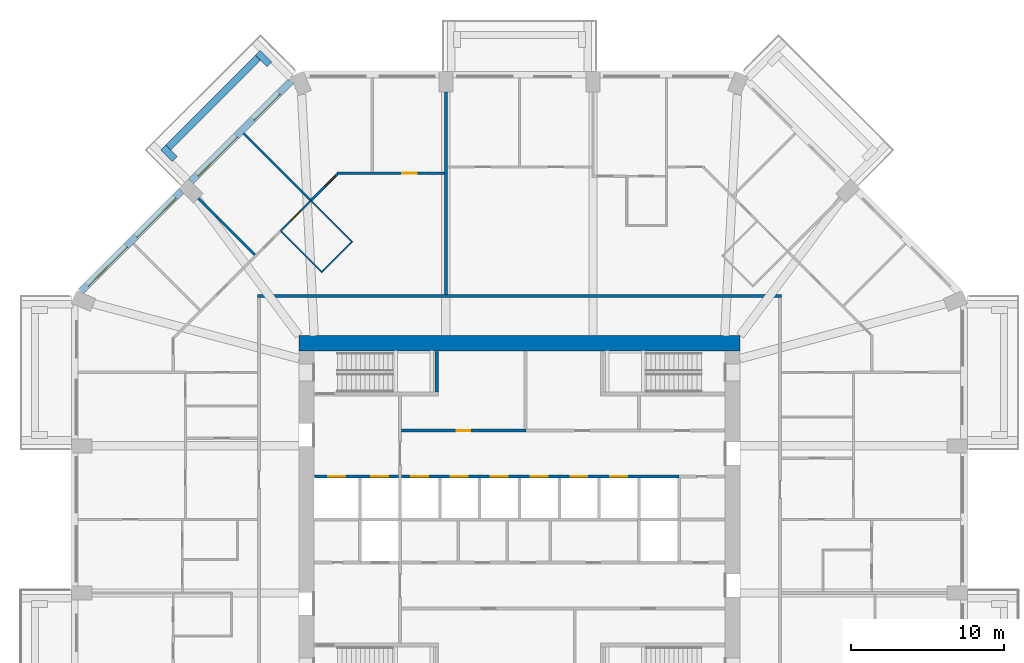
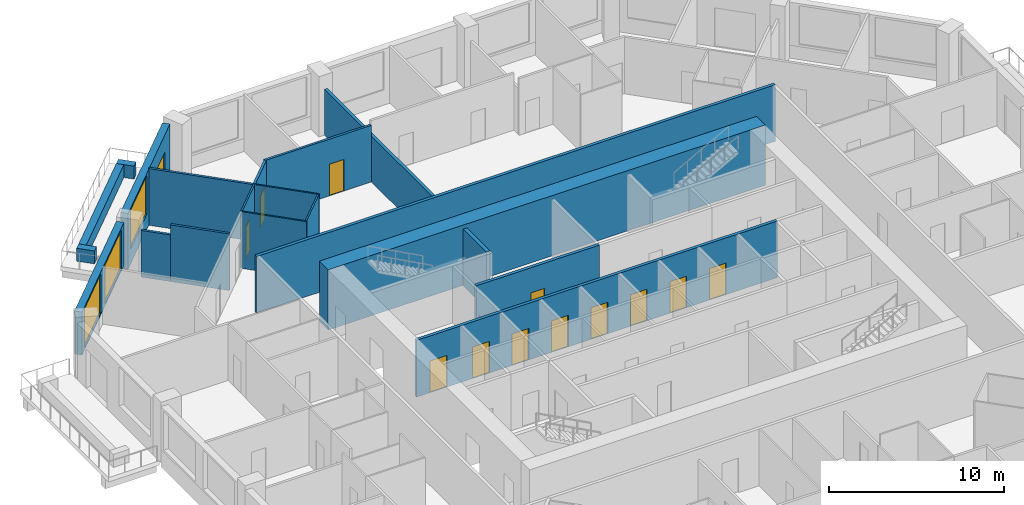
# One storey, part 8 of 13: 20 walls, 13 doors, 3 windows, 16 openings.
"""IFC4 building model written with IfcOpenShell, lengths in metres."""

from ifc_helpers import new_model, si_unit, direction, frame, frame_2d, origin, place, context, subcontext, project, spatial, rectangle, extrude, material, layer, layer_set, type_object, element, fill, save


model = new_model("IFC4")

# Units and contexts
model_context = context("Model", 3, precision=1e-05, world=origin(), true_north=direction((0.0, 1.0)))
body_context = subcontext(model_context, "Body", "Model", "MODEL_VIEW")
ifc_project = project(units=[si_unit("LENGTHUNIT", "METRE"), si_unit("AREAUNIT", "SQUARE_METRE"), si_unit("VOLUMEUNIT", "CUBIC_METRE"), si_unit("PLANEANGLEUNIT", "RADIAN"), si_unit("MASSUNIT", "GRAM", prefix="KILO")], contexts=[model_context])

# Site, building, storey
site_placement = place(None, origin())
site = spatial("IfcSite", under=ifc_project, at=site_placement, CompositionType="ELEMENT")
building_placement = place(site_placement, origin())
building = spatial("IfcBuilding", under=site, at=building_placement, Name="Msitu Wima Residences", CompositionType="ELEMENT")
storey_placement = place(building_placement, frame((0.0, 0.0, 67.5)))
storey = spatial("IfcBuildingStorey", under=building, at=storey_placement, Name="L15", CompositionType="ELEMENT", Elevation=67.5)

# Walls
ifc_material_1 = material(Name="Facing brick")
ifc_layer_1 = layer(ifc_material_1, 0.06494140625, Name="Facing brick")
ifc_material_2 = material(Name="Concrete C40/50", Category="concrete")
ifc_layer_2 = layer(ifc_material_2, 0.156005859375, Name="Concrete C40/50")
ifc_material_3 = material(Name="Waterproofing membrane")
ifc_layer_3 = layer(ifc_material_3, 0.00390625, Name="Waterproofing membrane")
ifc_material_4 = material(Name="Planting soil and planting")
ifc_layer_4 = layer(ifc_material_4, 0.22509765625, Name="Planting soil and planting")
ifc_layer_set_1 = layer_set([ifc_layer_1, ifc_layer_2, ifc_layer_3, ifc_layer_4], Name="Concrete C40/50")
wall_type_1 = type_object("IfcWallType", Name="Balcony planter PLANTER PL450", PredefinedType="USERDEFINED", material=ifc_layer_set_1)
wall_1_placement = place(storey_placement, frame((-17.0693359375, 30.125732421875, 0.0), z_axis=(0.0, 0.0, 1.0), x_axis=(-0.707106781187, -0.707106781187, 0.0)))
element("IfcWall", 1, at=wall_1_placement, inside=storey, type_object=wall_type_1, Name="Balcony planter NW0 L15", ObjectType="PLANTER", PredefinedType="USERDEFINED", context=body_context, shape_type="SweptSolid", body=[
    extrude(rectangle(XDim=8.2822265625, YDim=0.449951171875, at=frame_2d((4.14111328125, 0.0))), origin(), (0.0, 0.0, 1.0), 0.89990234375),
])
for number, where, z_axis, x_axis, name in (
    (2, (-16.326904296875, 29.70166015625, 0.0), (0.0, 0.0, 1.0), (-0.707106781187, 0.707106781187, 0.0), "Balcony planter NW0 L15"),
    (3, (-22.50146484375, 23.52685546875, 0.0), (0.0, 0.0, 1.0), (-0.707223014731, 0.706990528533, 0.0), "Balcony planter NW0 L15"),
):
    element("IfcWall", number, at=place(storey_placement, frame(where, z_axis=z_axis, x_axis=x_axis)), inside=storey, type_object=wall_type_1, Name=name, ObjectType="PLANTER", PredefinedType="USERDEFINED", context=body_context, shape_type="SweptSolid", body=[
        extrude(rectangle(XDim=1.050048828125, YDim=0.449951171875, at=frame_2d((0.52490234375, 0.0))), origin(), (0.0, 0.0, 1.0), 0.89990234375),
    ])

# Wall, openings, door, window
ifc_material_5 = material(Name="Brick (red buff mix)", Category="masonry")
ifc_layer_5 = layer(ifc_material_5, 0.449951171875)
ifc_layer_set_2 = layer_set([ifc_layer_5], Name="Brick (red buff mix)")
wall_type_2 = type_object("IfcWallType", Name="Brick infill wall BW450", PredefinedType="SOLIDWALL", material=ifc_layer_set_2)
wall_2_placement = place(storey_placement, frame((-14.903564453125, 28.61474609375, 0.0), z_axis=(0.0, 0.0, 1.0), x_axis=(-0.707106781187, -0.707106781187, 0.0)))
wall_2 = element("IfcWall", 4, at=wall_2_placement, inside=storey, type_object=wall_type_2, Name="Brick infill wall L15 NW0", PredefinedType="SOLIDWALL", context=body_context, shape_type="SweptSolid", body=[
    extrude(rectangle(XDim=9.2451171875, YDim=0.449951171875, at=frame_2d((4.62255859375, 0.0))), origin(), (0.0, 0.0, 1.0), 3.89990234375),
])
opening_1_placement = place(wall_2_placement, frame((1.111328125, 0.0, 0.0)))
opening_1 = element("IfcOpeningElement", 5, at=opening_1_placement, cuts=wall_2, Name="Opening D13-15.005", PredefinedType="OPENING", context=body_context, shape_type="SweptSolid", body=[
    extrude(rectangle(XDim=2.39990234375, YDim=2.699951171875, at=frame_2d((1.199951171875, 1.35009765625))), frame((0.0, 0.23486328125, 0.0), z_axis=(0.0, -1.0, 0.0), x_axis=(1.0, 0.0, 0.0)), (0.0, 0.0, 1.0), 0.469970703125),
])
opening_2_placement = place(wall_2_placement, frame((5.072509765625, 0.0, 1.050048828125)))
opening_2 = element("IfcOpeningElement", 6, at=opening_2_placement, cuts=wall_2, Name="Opening W13-15.013", PredefinedType="OPENING", context=body_context, shape_type="SweptSolid", body=[
    extrude(rectangle(XDim=3.60009765625, YDim=2.699951171875, at=frame_2d((1.800048828125, 1.35009765625))), frame((0.0, 0.23486328125, 0.0), z_axis=(0.0, -1.0, 0.0), x_axis=(1.0, 0.0, 0.0)), (0.0, 0.0, 1.0), 0.469970703125),
])
ifc_material_6 = material(Name="Anodised aluminium, bronze finish, clear low-emissivity double glazing", Category="aluminium")
door_type_1 = type_object("IfcDoorType", Name="Balcony door D2400x2700", OperationType="SLIDING_TO_LEFT", PredefinedType="DOOR", material=ifc_material_6)
door_1_placement = place(opening_1_placement, origin())
door_1 = element("IfcDoor", 7, at=door_1_placement, inside=storey, type_object=door_type_1, Name="Balcony door L15 NW0", OperationType="SINGLE_SWING_LEFT", OverallHeight=2.699951171875, OverallWidth=2.39990234375, PredefinedType="DOOR", context=body_context, shape_type="SweptSolid", body=[
    extrude(rectangle(XDim=2.39990234375, YDim=2.699951171875, at=frame_2d((1.199951171875, 1.35009765625))), frame((0.0, 0.1298828125, 0.0), z_axis=(0.0, -1.0, 0.0), x_axis=(1.0, 0.0, 0.0)), (0.0, 0.0, 1.0), 0.050048828125),
])
fill(opening_1, door_1)
window_type = type_object("IfcWindowType", Name="Window W3600x2700", PartitioningType="DOUBLE_PANEL_VERTICAL", PredefinedType="WINDOW", material=ifc_material_6)
window_1_placement = place(opening_2_placement, origin())
window_1 = element("IfcWindow", 8, at=window_1_placement, inside=storey, type_object=window_type, Name="Window L15 NW0.2", OverallHeight=2.699951171875, OverallWidth=3.60009765625, PartitioningType="SINGLE_PANEL", PredefinedType="WINDOW", context=body_context, shape_type="SweptSolid", body=[
    extrude(rectangle(XDim=3.60009765625, YDim=2.699951171875, at=frame_2d((1.800048828125, 1.35009765625))), frame((0.0, 0.135009765625, 0.0), z_axis=(0.0, -1.0, 0.0), x_axis=(1.0, 0.0, 0.0)), (0.0, 0.0, 1.0), 0.06005859375),
])
fill(opening_2, window_1)

# Wall, openings, windows
wall_3_placement = place(storey_placement, frame((-22.077392578125, 21.44091796875, 0.89990234375), z_axis=(0.0, 0.0, 1.0), x_axis=(-0.707106781187, -0.707106781187, 0.0)))
wall_3 = element("IfcWall", 9, at=wall_3_placement, inside=storey, type_object=wall_type_2, Name="Brick infill wall L15 NW1", PredefinedType="SOLIDWALL", context=body_context, shape_type="SweptSolid", body=[
    extrude(rectangle(XDim=9.2451171875, YDim=0.449951171875, at=frame_2d((4.62255859375, 0.0))), origin(), (0.0, 0.0, 1.0), 3.0),
])
opening_3_placement = place(wall_3_placement, frame((0.572509765625, 0.0, 0.14990234375)))
opening_3 = element("IfcOpeningElement", 10, at=opening_3_placement, cuts=wall_3, Name="Opening W13-15.014", PredefinedType="OPENING", context=body_context, shape_type="SweptSolid", body=[
    extrude(rectangle(XDim=3.60009765625, YDim=2.699951171875, at=frame_2d((1.800048828125, 1.35009765625))), frame((0.0, 0.23486328125, 0.0), z_axis=(0.0, -1.0, 0.0), x_axis=(1.0, 0.0, 0.0)), (0.0, 0.0, 1.0), 0.469970703125),
])
opening_4_placement = place(wall_3_placement, frame((5.072509765625, 0.0, 0.14990234375)))
opening_4 = element("IfcOpeningElement", 11, at=opening_4_placement, cuts=wall_3, Name="Opening W13-15.015", PredefinedType="OPENING", context=body_context, shape_type="SweptSolid", body=[
    extrude(rectangle(XDim=3.60009765625, YDim=2.699951171875, at=frame_2d((1.800048828125, 1.35009765625))), frame((0.0, 0.23486328125, 0.0), z_axis=(0.0, -1.0, 0.0), x_axis=(1.0, 0.0, 0.0)), (0.0, 0.0, 1.0), 0.469970703125),
])
window_2_placement = place(opening_3_placement, origin())
window_2 = element("IfcWindow", 12, at=window_2_placement, inside=storey, type_object=window_type, Name="Window L15 NW1.1", OverallHeight=2.699951171875, OverallWidth=3.60009765625, PartitioningType="SINGLE_PANEL", PredefinedType="WINDOW", context=body_context, shape_type="SweptSolid", body=[
    extrude(rectangle(XDim=3.60009765625, YDim=2.699951171875, at=frame_2d((1.800048828125, 1.35009765625))), frame((0.0, 0.135009765625, 0.0), z_axis=(0.0, -1.0, 0.0), x_axis=(1.0, 0.0, 0.0)), (0.0, 0.0, 1.0), 0.06005859375),
])
fill(opening_3, window_2)
window_3_placement = place(opening_4_placement, origin())
window_3 = element("IfcWindow", 13, at=window_3_placement, inside=storey, type_object=window_type, Name="Window L15 NW1.2", OverallHeight=2.699951171875, OverallWidth=3.60009765625, PartitioningType="SINGLE_PANEL", PredefinedType="WINDOW", context=body_context, shape_type="SweptSolid", body=[
    extrude(rectangle(XDim=3.60009765625, YDim=2.699951171875, at=frame_2d((1.800048828125, 1.35009765625))), frame((0.0, 0.135009765625, 0.0), z_axis=(0.0, -1.0, 0.0), x_axis=(1.0, 0.0, 0.0)), (0.0, 0.0, 1.0), 0.06005859375),
])
fill(opening_4, window_3)

# Walls
ifc_material_7 = material(Name="Concrete C80/95", Category="concrete")
ifc_layer_6 = layer(ifc_material_7, 1.0)
ifc_layer_set_3 = layer_set([ifc_layer_6], Name="Concrete C80/95")
wall_type_3 = type_object("IfcWallType", Name="Core wall CW1000 C80/95", PredefinedType="SHEAR", material=ifc_layer_set_3)
wall_4_placement = place(storey_placement, frame((-14.39990234375, 11.5, 0.0), z_axis=(0.0, 0.0, 1.0), x_axis=(1.0, 0.0, 0.0)))
element("IfcWall", 14, at=wall_4_placement, inside=storey, type_object=wall_type_3, Name="Core wall", PredefinedType="SHEAR", context=body_context, shape_type="SweptSolid", body=[
    extrude(rectangle(XDim=28.7998046875, YDim=1.0, at=frame_2d((14.39990234375, 0.0))), origin(), (0.0, 0.0, 1.0), 4.199951171875),
])
ifc_material_8 = material(Name="Plaster")
ifc_layer_7 = layer(ifc_material_8, 0.011962890625, Name="Plaster")
ifc_material_9 = material(Name="Concrete blockwork", Category="masonry")
ifc_layer_8 = layer(ifc_material_9, 0.176025390625, Name="Concrete blockwork")
ifc_layer_9 = layer(ifc_material_8, 0.011962890625, Name="Plaster")
ifc_layer_set_4 = layer_set([ifc_layer_7, ifc_layer_8, ifc_layer_9], Name="Concrete blockwork")
wall_type_4 = type_object("IfcWallType", Name="Corridor wall FW200", PredefinedType="PARTITIONING", material=ifc_layer_set_4)
wall_5_placement = place(storey_placement, frame((-17.10009765625, 14.60009765625, 0.0), z_axis=(0.0, 0.0, 1.0), x_axis=(1.0, 0.0, 0.0)))
element("IfcWall", 15, at=wall_5_placement, inside=storey, type_object=wall_type_4, Name="Corridor wall", PredefinedType="PARTITIONING", context=body_context, shape_type="SweptSolid", body=[
    extrude(rectangle(XDim=34.2001953125, YDim=0.199951171875, at=frame_2d((17.10009765625, 0.0))), origin(), (0.0, 0.0, 1.0), 3.949951171875),
])

# Wall, opening, door
wall_6_placement = place(storey_placement, frame((-7.699951171875, 5.800048828125, 0.0), z_axis=(0.0, 0.0, 1.0), x_axis=(1.0, 0.0, 0.0)))
wall_6 = element("IfcWall", 16, at=wall_6_placement, inside=storey, type_object=wall_type_4, Name="Corridor wall", PredefinedType="PARTITIONING", context=body_context, shape_type="SweptSolid", body=[
    extrude(rectangle(XDim=8.119873046875, YDim=0.199951171875, at=frame_2d((4.06005859375, 0.0))), origin(), (0.0, 0.0, 1.0), 3.949951171875),
])
opening_5_placement = place(wall_6_placement, frame((3.60009765625, 0.0, 0.0)))
opening_5 = element("IfcOpeningElement", 17, at=opening_5_placement, cuts=wall_6, Name="Opening D13-15.019", PredefinedType="OPENING", context=body_context, shape_type="SweptSolid", body=[
    extrude(rectangle(XDim=0.89990234375, YDim=2.199951171875, at=frame_2d((0.449951171875, 1.10009765625))), frame((0.0, 0.10986328125, 0.0), z_axis=(0.0, -1.0, 0.0), x_axis=(1.0, 0.0, 0.0)), (0.0, 0.0, 1.0), 0.219970703125),
])
ifc_material_10 = material(Name="Timber flush door", Category="wood")
door_type_2 = type_object("IfcDoorType", Name="Service door D05 900x2200", OperationType="SINGLE_SWING_LEFT", PredefinedType="DOOR", material=ifc_material_10)
door_2_placement = place(opening_5_placement, origin())
door_2 = element("IfcDoor", 18, at=door_2_placement, inside=storey, type_object=door_type_2, Name="Service door", OperationType="SINGLE_SWING_LEFT", OverallHeight=2.199951171875, OverallWidth=0.89990234375, PredefinedType="DOOR", context=body_context, shape_type="SweptSolid", body=[
    extrude(rectangle(XDim=0.89990234375, YDim=2.199951171875, at=frame_2d((0.449951171875, 1.10009765625))), frame((0.0, 0.02490234375, 0.0), z_axis=(0.0, -1.0, 0.0), x_axis=(1.0, 0.0, 0.0)), (0.0, 0.0, 1.0), 0.050048828125),
])
fill(opening_5, door_2)

# Walls
ifc_layer_10 = layer(ifc_material_8, 0.011962890625, Name="Plaster")
ifc_layer_11 = layer(ifc_material_9, 0.1259765625, Name="Concrete blockwork")
ifc_layer_12 = layer(ifc_material_8, 0.011962890625, Name="Plaster")
ifc_layer_set_5 = layer_set([ifc_layer_10, ifc_layer_11, ifc_layer_12], Name="Concrete blockwork")
wall_type_5 = type_object("IfcWallType", Name="Partition PW150", PredefinedType="PARTITIONING", material=ifc_layer_set_5)
wall_7_placement = place(storey_placement, frame((-20.963623046875, 20.963623046875, 0.0), z_axis=(0.0, 0.0, 1.0), x_axis=(0.707106781187, -0.707106781187, 0.0)))
element("IfcWall", 19, at=wall_7_placement, inside=storey, type_object=wall_type_5, Name="Partition", PredefinedType="PARTITIONING", context=body_context, shape_type="SweptSolid", body=[
    extrude(rectangle(XDim=1.74853515625, YDim=0.14990234375, at=frame_2d((0.874267578125, 0.0))), origin(), (0.0, 0.0, 1.0), 3.25),
])
wall_8_placement = place(storey_placement, frame((-19.727294921875, 19.727294921875, 0.0), z_axis=(0.0, 0.0, 1.0), x_axis=(0.707106781187, -0.707106781187, 0.0)))
element("IfcWall", 20, at=wall_8_placement, inside=storey, type_object=wall_type_5, Name="Partition", PredefinedType="PARTITIONING", context=body_context, shape_type="SweptSolid", body=[
    extrude(rectangle(XDim=3.4765625, YDim=0.14990234375, at=frame_2d((1.73828125, 0.0))), origin(), (0.0, 0.0, 1.0), 3.949951171875),
])
wall_9_placement = place(storey_placement, frame((-18.017578125, 25.2177734375, 0.0), z_axis=(0.0, 0.0, 1.0), x_axis=(0.707087234081, -0.707126327752, 0.0)))
element("IfcWall", 21, at=wall_9_placement, inside=storey, type_object=wall_type_5, Name="Partition", PredefinedType="PARTITIONING", context=body_context, shape_type="SweptSolid", body=[
    extrude(rectangle(XDim=6.2451171875, YDim=0.14990234375, at=frame_2d((3.12255859375, 0.0))), origin(), (0.0, 0.0, 1.0), 3.949951171875),
])

# Wall, opening, door
wall_10_placement = place(storey_placement, frame((-13.601806640625, 20.830078125, 0.0), z_axis=(0.0, 0.0, 1.0), x_axis=(0.707106781187, 0.707106781187, 0.0)))
wall_10 = element("IfcWall", 22, at=wall_10_placement, inside=storey, type_object=wall_type_5, Name="Partition", PredefinedType="PARTITIONING", context=body_context, shape_type="SweptSolid", body=[
    extrude(rectangle(XDim=2.427978515625, YDim=0.14990234375, at=frame_2d((1.2138671875, 0.0))), origin(), (0.0, 0.0, 1.0), 3.949951171875),
])
opening_6_placement = place(wall_10_placement, frame((1.300048828125, 0.0, 0.0)))
opening_6 = element("IfcOpeningElement", 23, at=opening_6_placement, cuts=wall_10, Name="Opening D13-15.063", PredefinedType="OPENING", context=body_context, shape_type="SweptSolid", body=[
    extrude(rectangle(XDim=0.949951171875, YDim=2.199951171875, at=frame_2d((0.47509765625, 1.10009765625))), frame((0.0, 0.0849609375, 0.0), z_axis=(0.0, -1.0, 0.0), x_axis=(1.0, 0.0, 0.0)), (0.0, 0.0, 1.0), 0.169921875),
])
door_type_3 = type_object("IfcDoorType", Name="Room door D12 950x2200", OperationType="SINGLE_SWING_LEFT", PredefinedType="DOOR", material=ifc_material_10)
door_3_placement = place(opening_6_placement, origin())
door_3 = element("IfcDoor", 24, at=door_3_placement, inside=storey, type_object=door_type_3, Name="Room door", OperationType="SINGLE_SWING_LEFT", OverallHeight=2.199951171875, OverallWidth=0.949951171875, PredefinedType="DOOR", context=body_context, shape_type="SweptSolid", body=[
    extrude(rectangle(XDim=0.949951171875, YDim=2.199951171875, at=frame_2d((0.47509765625, 1.10009765625))), frame((0.0, 0.02490234375, 0.0), z_axis=(0.0, -1.0, 0.0), x_axis=(1.0, 0.0, 0.0)), (0.0, 0.0, 1.0), 0.050048828125),
])
fill(opening_6, door_3)

wall_11_placement = place(storey_placement, frame((-11.906982421875, 22.60009765625, 0.0), z_axis=(0.0, 0.0, 1.0), x_axis=(1.0, 0.0, 0.0)))
wall_11 = element("IfcWall", 25, at=wall_11_placement, inside=storey, type_object=wall_type_5, Name="Partition", PredefinedType="PARTITIONING", context=body_context, shape_type="SweptSolid", body=[
    extrude(rectangle(XDim=7.007080078125, YDim=0.14990234375, at=frame_2d((3.50341796875, 0.0))), origin(), (0.0, 0.0, 1.0), 3.949951171875),
])
opening_7_placement = place(wall_11_placement, frame((4.25, 0.0, 0.0)))
opening_7 = element("IfcOpeningElement", 26, at=opening_7_placement, cuts=wall_11, Name="Opening D13-15.058", PredefinedType="OPENING", context=body_context, shape_type="SweptSolid", body=[
    extrude(rectangle(XDim=0.949951171875, YDim=2.199951171875, at=frame_2d((0.47509765625, 1.10009765625))), frame((0.0, 0.0849609375, 0.0), z_axis=(0.0, -1.0, 0.0), x_axis=(1.0, 0.0, 0.0)), (0.0, 0.0, 1.0), 0.169921875),
])
door_4_placement = place(opening_7_placement, origin())
door_4 = element("IfcDoor", 27, at=door_4_placement, inside=storey, type_object=door_type_3, Name="Room door", OperationType="SINGLE_SWING_RIGHT", OverallHeight=2.199951171875, OverallWidth=0.949951171875, PredefinedType="DOOR", context=body_context, shape_type="SweptSolid", body=[
    extrude(rectangle(XDim=0.949951171875, YDim=2.199951171875, at=frame_2d((0.47509765625, 1.10009765625))), frame((0.0, 0.02490234375, 0.0), z_axis=(0.0, -1.0, 0.0), x_axis=(1.0, 0.0, 0.0)), (0.0, 0.0, 1.0), 0.050048828125),
])
fill(opening_7, door_4)

# Wall
ifc_layer_13 = layer(ifc_material_8, 0.011962890625, Name="Plaster")
ifc_material_11 = material(Name="Dense concrete blockwork", Category="masonry")
ifc_layer_14 = layer(ifc_material_11, 0.176025390625, Name="Dense concrete blockwork")
ifc_layer_15 = layer(ifc_material_8, 0.011962890625, Name="Plaster")
ifc_layer_set_6 = layer_set([ifc_layer_13, ifc_layer_14, ifc_layer_15], Name="Dense concrete blockwork")
wall_type_6 = type_object("IfcWallType", Name="Party wall PW200", PredefinedType="PARTITIONING", material=ifc_layer_set_6)
wall_12_placement = place(storey_placement, frame((-4.800048828125, 14.699951171875, 0.0), z_axis=(0.0, 0.0, 1.0), x_axis=(0.0, 1.0, 0.0)))
element("IfcWall", 28, at=wall_12_placement, inside=storey, type_object=wall_type_6, Name="Party wall", PredefinedType="PARTITIONING", context=body_context, shape_type="SweptSolid", body=[
    extrude(rectangle(XDim=13.199951171875, YDim=0.199951171875, at=frame_2d((6.60009765625, 0.0))), origin(), (0.0, 0.0, 1.0), 3.199951171875),
])

# Wall, openings, doors
ifc_material_12 = material(Name="Fire-rated board")
ifc_layer_16 = layer(ifc_material_12, 0.02490234375, Name="Fire-rated board")
ifc_material_13 = material(Name="Light-gauge stud framing with mineral wool")
ifc_layer_17 = layer(ifc_material_13, 0.14990234375, Name="Light-gauge stud framing with mineral wool")
ifc_layer_18 = layer(ifc_material_12, 0.02490234375, Name="Fire-rated board")
ifc_layer_set_7 = layer_set([ifc_layer_16, ifc_layer_17, ifc_layer_18], Name="Light-gauge stud framing with mineral wool")
wall_type_7 = type_object("IfcWallType", Name="Shaft wall SH200", PredefinedType="PARTITIONING", material=ifc_layer_set_7)
wall_13_placement = place(storey_placement, frame((-13.3701171875, 2.800048828125, 0.0), z_axis=(0.0, 0.0, 1.0), x_axis=(1.0, 0.0, 0.0)))
wall_13 = element("IfcWall", 29, at=wall_13_placement, inside=storey, type_object=wall_type_7, Name="Shaft wall", PredefinedType="PARTITIONING", context=body_context, shape_type="SweptSolid", body=[
    extrude(rectangle(XDim=23.77001953125, YDim=0.199951171875, at=frame_2d((11.885009765625, 0.0))), origin(), (0.0, 0.0, 1.0), 3.949951171875),
])
opening_8_placement = place(wall_13_placement, frame((0.89990234375, 0.0, 0.0)))
opening_8 = element("IfcOpeningElement", 30, at=opening_8_placement, cuts=wall_13, Name="Opening LD", PredefinedType="OPENING", context=body_context, shape_type="SweptSolid", body=[
    extrude(rectangle(XDim=1.10009765625, YDim=2.199951171875, at=frame_2d((0.550048828125, 1.10009765625))), frame((0.0, 0.10986328125, 0.0), z_axis=(0.0, -1.0, 0.0), x_axis=(1.0, 0.0, 0.0)), (0.0, 0.0, 1.0), 0.219970703125),
])
opening_9_placement = place(wall_13_placement, frame((3.699951171875, 0.0, 0.0)))
opening_9 = element("IfcOpeningElement", 31, at=opening_9_placement, cuts=wall_13, Name="Opening LD", PredefinedType="OPENING", context=body_context, shape_type="SweptSolid", body=[
    extrude(rectangle(XDim=1.10009765625, YDim=2.199951171875, at=frame_2d((0.550048828125, 1.10009765625))), frame((0.0, 0.10986328125, 0.0), z_axis=(0.0, -1.0, 0.0), x_axis=(1.0, 0.0, 0.0)), (0.0, 0.0, 1.0), 0.219970703125),
])
opening_10_placement = place(wall_13_placement, frame((6.300048828125, 0.0, 0.0)))
opening_10 = element("IfcOpeningElement", 32, at=opening_10_placement, cuts=wall_13, Name="Opening LD", PredefinedType="OPENING", context=body_context, shape_type="SweptSolid", body=[
    extrude(rectangle(XDim=1.10009765625, YDim=2.199951171875, at=frame_2d((0.550048828125, 1.10009765625))), frame((0.0, 0.10986328125, 0.0), z_axis=(0.0, -1.0, 0.0), x_axis=(1.0, 0.0, 0.0)), (0.0, 0.0, 1.0), 0.219970703125),
])
opening_11_placement = place(wall_13_placement, frame((8.89990234375, 0.0, 0.0)))
opening_11 = element("IfcOpeningElement", 33, at=opening_11_placement, cuts=wall_13, Name="Opening LD", PredefinedType="OPENING", context=body_context, shape_type="SweptSolid", body=[
    extrude(rectangle(XDim=1.10009765625, YDim=2.199951171875, at=frame_2d((0.550048828125, 1.10009765625))), frame((0.0, 0.10986328125, 0.0), z_axis=(0.0, -1.0, 0.0), x_axis=(1.0, 0.0, 0.0)), (0.0, 0.0, 1.0), 0.219970703125),
])
opening_12_placement = place(wall_13_placement, frame((11.5, 0.0, 0.0)))
opening_12 = element("IfcOpeningElement", 34, at=opening_12_placement, cuts=wall_13, Name="Opening LD", PredefinedType="OPENING", context=body_context, shape_type="SweptSolid", body=[
    extrude(rectangle(XDim=1.10009765625, YDim=2.199951171875, at=frame_2d((0.550048828125, 1.10009765625))), frame((0.0, 0.10986328125, 0.0), z_axis=(0.0, -1.0, 0.0), x_axis=(1.0, 0.0, 0.0)), (0.0, 0.0, 1.0), 0.219970703125),
])
opening_13_placement = place(wall_13_placement, frame((14.10009765625, 0.0, 0.0)))
opening_13 = element("IfcOpeningElement", 35, at=opening_13_placement, cuts=wall_13, Name="Opening LD", PredefinedType="OPENING", context=body_context, shape_type="SweptSolid", body=[
    extrude(rectangle(XDim=1.10009765625, YDim=2.199951171875, at=frame_2d((0.550048828125, 1.10009765625))), frame((0.0, 0.10986328125, 0.0), z_axis=(0.0, -1.0, 0.0), x_axis=(1.0, 0.0, 0.0)), (0.0, 0.0, 1.0), 0.219970703125),
])
opening_14_placement = place(wall_13_placement, frame((16.699951171875, 0.0, 0.0)))
opening_14 = element("IfcOpeningElement", 36, at=opening_14_placement, cuts=wall_13, Name="Opening LD", PredefinedType="OPENING", context=body_context, shape_type="SweptSolid", body=[
    extrude(rectangle(XDim=1.10009765625, YDim=2.199951171875, at=frame_2d((0.550048828125, 1.10009765625))), frame((0.0, 0.10986328125, 0.0), z_axis=(0.0, -1.0, 0.0), x_axis=(1.0, 0.0, 0.0)), (0.0, 0.0, 1.0), 0.219970703125),
])
opening_15_placement = place(wall_13_placement, frame((19.300048828125, 0.0, 0.0)))
opening_15 = element("IfcOpeningElement", 37, at=opening_15_placement, cuts=wall_13, Name="Opening LD", PredefinedType="OPENING", context=body_context, shape_type="SweptSolid", body=[
    extrude(rectangle(XDim=1.10009765625, YDim=2.199951171875, at=frame_2d((0.550048828125, 1.10009765625))), frame((0.0, 0.10986328125, 0.0), z_axis=(0.0, -1.0, 0.0), x_axis=(1.0, 0.0, 0.0)), (0.0, 0.0, 1.0), 0.219970703125),
])
ifc_material_14 = material(Name="Stainless steel centre-opening landing door, rated", Category="steel")
door_type_4 = type_object("IfcDoorType", Name="Lift landing door LD 1100x2200", OperationType="DOUBLE_DOOR_SLIDING", PredefinedType="DOOR", material=ifc_material_14)
door_5_placement = place(opening_8_placement, origin())
door_5 = element("IfcDoor", 38, at=door_5_placement, inside=storey, type_object=door_type_4, Name="Lift landing door LD1", OperationType="DOUBLE_DOOR_SLIDING", OverallHeight=2.199951171875, OverallWidth=1.10009765625, PredefinedType="DOOR", context=body_context, shape_type="SweptSolid", body=[
    extrude(rectangle(XDim=1.10009765625, YDim=2.199951171875, at=frame_2d((0.550048828125, 1.10009765625))), frame((0.0, 0.02490234375, 0.0), z_axis=(0.0, -1.0, 0.0), x_axis=(1.0, 0.0, 0.0)), (0.0, 0.0, 1.0), 0.050048828125),
])
fill(opening_8, door_5)
door_6_placement = place(opening_9_placement, origin())
door_6 = element("IfcDoor", 39, at=door_6_placement, inside=storey, type_object=door_type_4, Name="Lift landing door LD2", OperationType="DOUBLE_DOOR_SLIDING", OverallHeight=2.199951171875, OverallWidth=1.10009765625, PredefinedType="DOOR", context=body_context, shape_type="SweptSolid", body=[
    extrude(rectangle(XDim=1.10009765625, YDim=2.199951171875, at=frame_2d((0.550048828125, 1.10009765625))), frame((0.0, 0.02490234375, 0.0), z_axis=(0.0, -1.0, 0.0), x_axis=(1.0, 0.0, 0.0)), (0.0, 0.0, 1.0), 0.050048828125),
])
fill(opening_9, door_6)
door_7_placement = place(opening_10_placement, origin())
door_7 = element("IfcDoor", 40, at=door_7_placement, inside=storey, type_object=door_type_4, Name="Lift landing door LD4", OperationType="DOUBLE_DOOR_SLIDING", OverallHeight=2.199951171875, OverallWidth=1.10009765625, PredefinedType="DOOR", context=body_context, shape_type="SweptSolid", body=[
    extrude(rectangle(XDim=1.10009765625, YDim=2.199951171875, at=frame_2d((0.550048828125, 1.10009765625))), frame((0.0, 0.02490234375, 0.0), z_axis=(0.0, -1.0, 0.0), x_axis=(1.0, 0.0, 0.0)), (0.0, 0.0, 1.0), 0.050048828125),
])
fill(opening_10, door_7)
door_8_placement = place(opening_11_placement, origin())
door_8 = element("IfcDoor", 41, at=door_8_placement, inside=storey, type_object=door_type_4, Name="Lift landing door LD6", OperationType="DOUBLE_DOOR_SLIDING", OverallHeight=2.199951171875, OverallWidth=1.10009765625, PredefinedType="DOOR", context=body_context, shape_type="SweptSolid", body=[
    extrude(rectangle(XDim=1.10009765625, YDim=2.199951171875, at=frame_2d((0.550048828125, 1.10009765625))), frame((0.0, 0.02490234375, 0.0), z_axis=(0.0, -1.0, 0.0), x_axis=(1.0, 0.0, 0.0)), (0.0, 0.0, 1.0), 0.050048828125),
])
fill(opening_11, door_8)
door_9_placement = place(opening_12_placement, origin())
door_9 = element("IfcDoor", 42, at=door_9_placement, inside=storey, type_object=door_type_4, Name="Lift landing door LD8", OperationType="DOUBLE_DOOR_SLIDING", OverallHeight=2.199951171875, OverallWidth=1.10009765625, PredefinedType="DOOR", context=body_context, shape_type="SweptSolid", body=[
    extrude(rectangle(XDim=1.10009765625, YDim=2.199951171875, at=frame_2d((0.550048828125, 1.10009765625))), frame((0.0, 0.02490234375, 0.0), z_axis=(0.0, -1.0, 0.0), x_axis=(1.0, 0.0, 0.0)), (0.0, 0.0, 1.0), 0.050048828125),
])
fill(opening_12, door_9)
door_10_placement = place(opening_13_placement, origin())
door_10 = element("IfcDoor", 43, at=door_10_placement, inside=storey, type_object=door_type_4, Name="Lift landing door LD10", OperationType="DOUBLE_DOOR_SLIDING", OverallHeight=2.199951171875, OverallWidth=1.10009765625, PredefinedType="DOOR", context=body_context, shape_type="SweptSolid", body=[
    extrude(rectangle(XDim=1.10009765625, YDim=2.199951171875, at=frame_2d((0.550048828125, 1.10009765625))), frame((0.0, 0.02490234375, 0.0), z_axis=(0.0, -1.0, 0.0), x_axis=(1.0, 0.0, 0.0)), (0.0, 0.0, 1.0), 0.050048828125),
])
fill(opening_13, door_10)
door_11_placement = place(opening_14_placement, origin())
door_11 = element("IfcDoor", 44, at=door_11_placement, inside=storey, type_object=door_type_4, Name="Lift landing door LD12", OperationType="DOUBLE_DOOR_SLIDING", OverallHeight=2.199951171875, OverallWidth=1.10009765625, PredefinedType="DOOR", context=body_context, shape_type="SweptSolid", body=[
    extrude(rectangle(XDim=1.10009765625, YDim=2.199951171875, at=frame_2d((0.550048828125, 1.10009765625))), frame((0.0, 0.02490234375, 0.0), z_axis=(0.0, -1.0, 0.0), x_axis=(1.0, 0.0, 0.0)), (0.0, 0.0, 1.0), 0.050048828125),
])
fill(opening_14, door_11)
door_12_placement = place(opening_15_placement, origin())
door_12 = element("IfcDoor", 45, at=door_12_placement, inside=storey, type_object=door_type_4, Name="Lift landing door LD14", OperationType="DOUBLE_DOOR_SLIDING", OverallHeight=2.199951171875, OverallWidth=1.10009765625, PredefinedType="DOOR", context=body_context, shape_type="SweptSolid", body=[
    extrude(rectangle(XDim=1.10009765625, YDim=2.199951171875, at=frame_2d((0.550048828125, 1.10009765625))), frame((0.0, 0.02490234375, 0.0), z_axis=(0.0, -1.0, 0.0), x_axis=(1.0, 0.0, 0.0)), (0.0, 0.0, 1.0), 0.050048828125),
])
fill(opening_15, door_12)

# Wall
ifc_material_15 = material(Name="Concrete C50/60", Category="concrete")
ifc_layer_19 = layer(ifc_material_15, 0.25)
ifc_layer_set_8 = layer_set([ifc_layer_19], Name="Concrete C50/60")
wall_type_8 = type_object("IfcWallType", Name="Stair enclosure wall SW250", PredefinedType="SHEAR", material=ifc_layer_set_8)
wall_14_placement = place(storey_placement, frame((-5.39990234375, 8.324951171875, 0.0), z_axis=(0.0, 0.0, 1.0), x_axis=(0.0, 1.0, 0.0)))
element("IfcWall", 46, at=wall_14_placement, inside=storey, type_object=wall_type_8, Name="Stair enclosure wall", PredefinedType="SHEAR", context=body_context, shape_type="SweptSolid", body=[
    extrude(rectangle(XDim=2.64501953125, YDim=0.25, at=frame_2d((1.322509765625, 0.0))), origin(), (0.0, 0.0, 1.0), 3.949951171875),
])

# Wall, opening, door
ifc_material_16 = material(Name="Ceramic tiles")
ifc_layer_20 = layer(ifc_material_16, 0.008056640625, Name="Ceramic tiles")
ifc_material_17 = material(Name="Moisture-resistant board")
ifc_layer_21 = layer(ifc_material_17, 0.012451171875, Name="Moisture-resistant board")
ifc_layer_22 = layer(ifc_material_13, 0.06689453125, Name="Light-gauge stud framing with mineral wool")
ifc_layer_23 = layer(ifc_material_17, 0.012451171875, Name="Moisture-resistant board")
ifc_layer_set_9 = layer_set([ifc_layer_20, ifc_layer_21, ifc_layer_22, ifc_layer_23], Name="Light-gauge stud framing with mineral wool")
wall_type_9 = type_object("IfcWallType", Name="Wet wall PW100", PredefinedType="PARTITIONING", material=ifc_layer_set_9)
wall_15_placement = place(storey_placement, frame((-15.595947265625, 18.8359375, 0.0), z_axis=(0.0, 0.0, 1.0), x_axis=(0.707106781187, 0.707106781187, 0.0)))
wall_15 = element("IfcWall", 47, at=wall_15_placement, inside=storey, type_object=wall_type_9, Name="Wet wall", PredefinedType="PARTITIONING", context=body_context, shape_type="SweptSolid", body=[
    extrude(rectangle(XDim=2.820068359375, YDim=0.10009765625, at=frame_2d((1.41015625, 0.0))), origin(), (0.0, 0.0, 1.0), 3.949951171875),
])
opening_16_placement = place(wall_15_placement, frame((0.949951171875, 0.0, 0.0)))
opening_16 = element("IfcOpeningElement", 48, at=opening_16_placement, cuts=wall_15, Name="Opening D13-15.062", PredefinedType="OPENING", context=body_context, shape_type="SweptSolid", body=[
    extrude(rectangle(XDim=0.89990234375, YDim=2.199951171875, at=frame_2d((0.449951171875, 1.10009765625))), frame((0.0, 0.06005859375, 0.0), z_axis=(0.0, -1.0, 0.0), x_axis=(1.0, 0.0, 0.0)), (0.0, 0.0, 1.0), 0.1201171875),
])
ifc_material_18 = material(Name="Timber flush door, moisture resistant", Category="wood")
door_type_5 = type_object("IfcDoorType", Name="Bathroom door D03 900x2200", OperationType="SINGLE_SWING_LEFT", PredefinedType="DOOR", material=ifc_material_18)
door_13_placement = place(opening_16_placement, origin())
door_13 = element("IfcDoor", 49, at=door_13_placement, inside=storey, type_object=door_type_5, Name="Bathroom door", OperationType="SINGLE_SWING_RIGHT", OverallHeight=2.199951171875, OverallWidth=0.89990234375, PredefinedType="DOOR", context=body_context, shape_type="SweptSolid", body=[
    extrude(rectangle(XDim=0.89990234375, YDim=2.199951171875, at=frame_2d((0.449951171875, 1.10009765625))), frame((0.0, 0.02490234375, 0.0), z_axis=(0.0, -1.0, 0.0), x_axis=(1.0, 0.0, 0.0)), (0.0, 0.0, 1.0), 0.050048828125),
])
fill(opening_16, door_13)

# Walls
wall_16_placement = place(storey_placement, frame((-15.560546875, 18.80078125, 0.0), z_axis=(0.0, 0.0, 1.0), x_axis=(0.707106781187, -0.707106781187, 0.0)))
element("IfcWall", 50, at=wall_16_placement, inside=storey, type_object=wall_type_9, Name="Wet wall", PredefinedType="PARTITIONING", context=body_context, shape_type="SweptSolid", body=[
    extrude(rectangle(XDim=3.800048828125, YDim=0.10009765625, at=frame_2d((1.89990234375, 0.0))), origin(), (0.0, 0.0, 1.0), 3.949951171875),
])
wall_17_placement = place(storey_placement, frame((-13.601806640625, 20.8017578125, 0.0), z_axis=(0.0, 0.0, 1.0), x_axis=(0.707106781187, -0.707106781187, 0.0)))
element("IfcWall", 51, at=wall_17_placement, inside=storey, type_object=wall_type_9, Name="Wet wall", PredefinedType="PARTITIONING", context=body_context, shape_type="SweptSolid", body=[
    extrude(rectangle(XDim=3.830078125, YDim=0.10009765625, at=frame_2d((1.9150390625, 0.0))), origin(), (0.0, 0.0, 1.0), 3.949951171875),
])
wall_18_placement = place(storey_placement, frame((-12.87353515625, 16.184326171875, 0.0), z_axis=(0.0, 0.0, 1.0), x_axis=(0.707106781187, 0.707106781187, 0.0)))
element("IfcWall", 52, at=wall_18_placement, inside=storey, type_object=wall_type_9, Name="Wet wall", PredefinedType="PARTITIONING", context=body_context, shape_type="SweptSolid", body=[
    extrude(rectangle(XDim=2.699951171875, YDim=0.10009765625, at=frame_2d((1.35009765625, 0.0))), origin(), (0.0, 0.0, 1.0), 3.949951171875),
])

save(model, "model.ifc")
